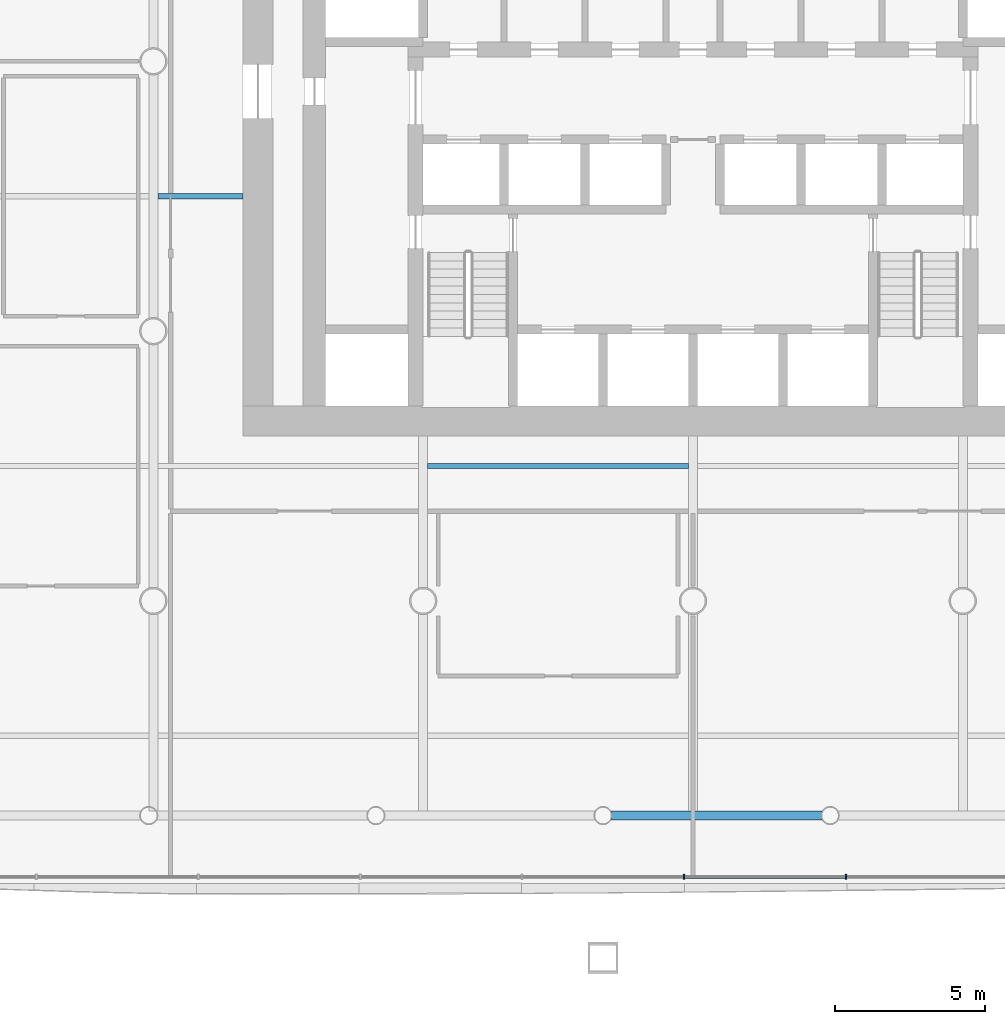
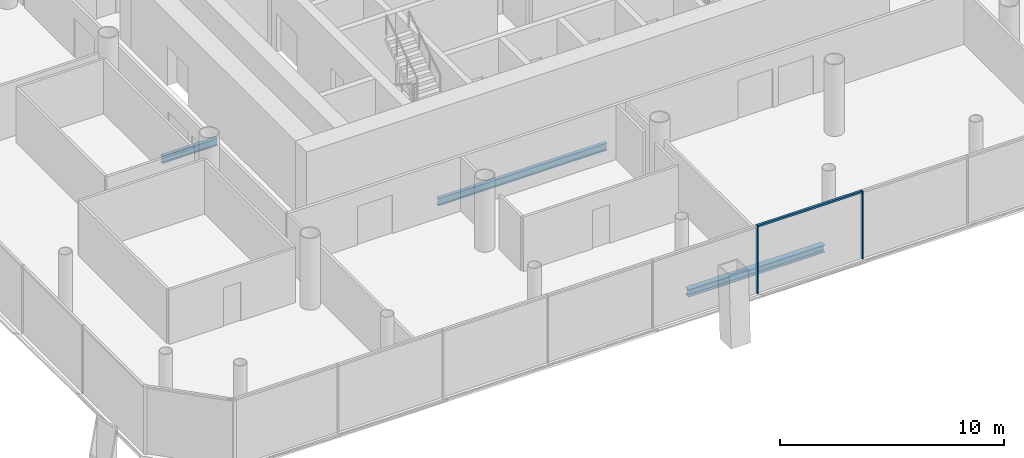
# One storey, part 5 of 22: 3 beams, 3 members, 1 element without a shape of its own.
"""IFC4 building model written with IfcOpenShell, lengths in metres."""

import ifcopenshell
import ifcopenshell.guid

model = None  # the IFC model being written
_history = None  # IfcOwnerHistory: only IFC2X3 demands one
_inside = {}  # id of a spatial element -> (the spatial element, [elements in it])
_under = {}  # id of a project, library or spatial element -> (it, [spatial elements below it])
_declared = {}  # id of a project -> (the project, [libraries it declares])
_typed = {}  # id of a type object -> (the type object, [elements of that type])
_made_of = {}  # id of a material, layer set ... -> (it, [elements and type objects made of it])


def new_model(schema):
    """Start an empty IFC model of exactly this schema.

    Asked for "IFC4X3", IfcOpenShell would pick the latest addendum, in which some entities
    have other attributes; the version numbers below select the first issue.
    IFC2X3 requires an IfcOwnerHistory on every rooted entity: one is made here for all.
    """
    global model, _history
    if schema == "IFC4X3":
        model = ifcopenshell.file(schema_version=(4, 3, 0, 0))
    else:
        model = ifcopenshell.file(schema=schema)
    _inside.clear()
    _under.clear()
    _declared.clear()
    _typed.clear()
    _made_of.clear()
    _history = None
    if model.schema == "IFC2X3":
        org = make("IfcOrganization", Name="unknown")
        user = make(
            "IfcPersonAndOrganization",
            ThePerson=make("IfcPerson", FamilyName="unknown"),
            TheOrganization=org,
        )
        app = make(
            "IfcApplication",
            ApplicationDeveloper=org,
            Version="unknown",
            ApplicationFullName="unknown",
            ApplicationIdentifier="unknown",
        )
        _history = make(
            "IfcOwnerHistory",
            OwningUser=user,
            OwningApplication=app,
            ChangeAction="ADDED",
            CreationDate=0,
        )
    return model


def make(cls, **values):
    """One entity of the class cls with the attributes given. An attribute that is None is left unset."""
    return model.create_entity(
        cls, **{name: value for name, value in values.items() if value is not None}
    )


def rooted(cls, **values):
    """An entity with a GlobalId (a new one), such as an element, a storey or a relation."""
    return make(cls, GlobalId=ifcopenshell.guid.new(), OwnerHistory=_history, **values)


def si_unit(unit_type, name, prefix=None):
    """IfcSIUnit, for example si_unit("LENGTHUNIT", "METRE", prefix="MILLI")."""
    return make("IfcSIUnit", UnitType=unit_type, Prefix=prefix, Name=name)


def assignment(units):
    """IfcUnitAssignment: the units of a project."""
    return None if units is None else make("IfcUnitAssignment", Units=units)


def point(xyz):
    """IfcCartesianPoint."""
    return None if xyz is None else make("IfcCartesianPoint", Coordinates=xyz)


def direction(xyz):
    """IfcDirection."""
    return None if xyz is None else make("IfcDirection", DirectionRatios=xyz)


def frame(location, z_axis=None, x_axis=None):
    """IfcAxis2Placement3D, a coordinate frame: its origin and axes. An axis left out is left unset."""
    return make(
        "IfcAxis2Placement3D",
        Location=point(location),
        Axis=direction(z_axis),
        RefDirection=direction(x_axis),
    )


def frame_2d(location, x_axis=None):
    """IfcAxis2Placement2D, a coordinate frame in the plane: its origin and x axis."""
    return make(
        "IfcAxis2Placement2D", Location=point(location), RefDirection=direction(x_axis)
    )


def origin():
    """The frame at (0, 0, 0) with its axes left unset."""
    return frame((0.0, 0.0, 0.0))


def origin_2d():
    """The frame at (0, 0) in the plane with its x axis left unset."""
    return frame_2d((0.0, 0.0))


def place(relative_to, where):
    """IfcLocalPlacement: puts the frame where relative to a parent placement (None: the world)."""
    return make(
        "IfcLocalPlacement", PlacementRelTo=relative_to, RelativePlacement=where
    )


def context(
    kind, dimensions, precision=None, world=None, true_north=None, identifier=None
):
    """IfcGeometricRepresentationContext, for example the 3D "Model" context."""
    return make(
        "IfcGeometricRepresentationContext",
        ContextIdentifier=identifier,
        ContextType=kind,
        CoordinateSpaceDimension=dimensions,
        Precision=precision,
        WorldCoordinateSystem=world,
        TrueNorth=true_north,
    )


def subcontext(parent, identifier, kind, view, scale=None):
    """IfcGeometricRepresentationSubContext, for example "Body" below "Model"."""
    return make(
        "IfcGeometricRepresentationSubContext",
        ContextIdentifier=identifier,
        ContextType=kind,
        ParentContext=parent,
        TargetScale=scale,
        TargetView=view,
    )


def project(units=None, contexts=None):
    """IfcProject with its units and contexts."""
    return rooted(
        "IfcProject",
        Name="project",
        RepresentationContexts=contexts,
        UnitsInContext=assignment(units),
    )


def spatial(cls, under=None, at=None, **own):
    """A site, building, storey or space (cls), placed at a placement, below another one or the project."""
    s = rooted(cls, ObjectPlacement=at, **own)
    if under is not None:
        _under.setdefault(under.id(), (under, []))[1].append(s)
    return s


def profile(cls, at=None, kind="AREA", **sizes):
    """A parametric profile (cls). Its sizes go by their IFC names, for example OverallWidth=200.0."""
    return make(cls, ProfileType=kind, Position=at, **sizes)


def rectangle(**sizes):
    """IfcRectangleProfileDef."""
    return profile("IfcRectangleProfileDef", **sizes)


def i_section(**sizes):
    """IfcIShapeProfileDef."""
    return profile("IfcIShapeProfileDef", **sizes)


def extrude(swept, where, along, depth):
    """IfcExtrudedAreaSolid: the profile swept, set in the frame where, extruded along a direction by depth."""
    return make(
        "IfcExtrudedAreaSolid",
        SweptArea=swept,
        Position=where,
        ExtrudedDirection=direction(along),
        Depth=depth,
    )


def shape(context_of_items, identifier, shape_type, items):
    """IfcShapeRepresentation: the items that make up one representation, for example the "Body"."""
    return make(
        "IfcShapeRepresentation",
        ContextOfItems=context_of_items,
        RepresentationIdentifier=identifier,
        RepresentationType=shape_type,
        Items=items,
    )


def material(Name=None, Category=None):
    """IfcMaterial."""
    return make("IfcMaterial", Name=Name, Category=Category)


def material_profile(
    of_material, cross_section, Name=None, Category=None, Priority=None
):
    """IfcMaterialProfile: a cross section and its material."""
    return make(
        "IfcMaterialProfile",
        Name=Name,
        Material=of_material,
        Profile=cross_section,
        Priority=Priority,
        Category=Category,
    )


def profile_set(profiles, Name=None, composite=None):
    """IfcMaterialProfileSet."""
    return make(
        "IfcMaterialProfileSet",
        Name=Name,
        MaterialProfiles=profiles,
        CompositeProfile=composite,
    )


def made_of(thing, what):
    """Note that an element or type object is made of a material, layer set ...; save() writes the relation."""
    if what is not None:
        _made_of.setdefault(what.id(), (what, []))[1].append(thing)
    return thing


def type_object(cls, material=None, **own):
    """A type object (cls), such as IfcWallType, which elements share."""
    return made_of(rooted(cls, **own), material)


def element(
    cls,
    number,
    at=None,
    inside=None,
    cuts=None,
    type_object=None,
    material=None,
    context=None,
    identifier="Body",
    shape_type=None,
    held_by="IfcProductDefinitionShape",
    body=None,
    shapes=None,
    **own,
):
    """One element of the class cls, such as IfcWall. Its Tag is "e" and its number.

    at: its placement. inside: the storey or other place that contains it. cuts: it is an
    opening in that element (IfcRelVoidsElement). A single representation is given by context,
    identifier, shape_type and body (its items); several are given by shapes. held_by: the class
    of the entity that holds the representations. save() writes the other relations.
    """
    e = rooted(cls, Tag="e%d" % number, ObjectPlacement=at, **own)
    if body is not None:
        shapes = [shape(context, identifier, shape_type, body)]
    if shapes is not None:
        e.Representation = make(held_by, Representations=shapes)
    if inside is not None:
        _inside.setdefault(inside.id(), (inside, []))[1].append(e)
    if cuts is not None:
        rooted(
            "IfcRelVoidsElement", RelatingBuildingElement=cuts, RelatedOpeningElement=e
        )
    if type_object is not None:
        _typed.setdefault(type_object.id(), (type_object, []))[1].append(e)
    return made_of(e, material)


def aggregate(whole, parts):
    """IfcRelAggregates: a whole, such as a stair, and the parts it consists of."""
    return rooted("IfcRelAggregates", RelatingObject=whole, RelatedObjects=parts)


def save(model, path):
    """Write the relations noted so far, then the file.

    IfcRelAggregates (storeys below a building ...), IfcRelContainedInSpatialStructure (elements
    in a storey), IfcRelDefinesByType, IfcRelAssociatesMaterial and IfcRelDeclares: one each for
    every whole, place, type object, material and project.
    """
    for whole, parts in _under.values():
        aggregate(whole, parts)
    for where, things in _inside.values():
        rooted(
            "IfcRelContainedInSpatialStructure",
            RelatedElements=things,
            RelatingStructure=where,
        )
    for kind, things in _typed.values():
        rooted("IfcRelDefinesByType", RelatedObjects=things, RelatingType=kind)
    for what, things in _made_of.values():
        rooted("IfcRelAssociatesMaterial", RelatedObjects=things, RelatingMaterial=what)
    for by, libraries in _declared.values():
        rooted("IfcRelDeclares", RelatingContext=by, RelatedDefinitions=libraries)
    model.write(path)


model = new_model("IFC4")

# Units and contexts
model_context = context("Model", 3, precision=1e-05, world=origin(), true_north=direction((0.0, 1.0)))
body_context = subcontext(model_context, "Body", "Model", "MODEL_VIEW")
ifc_project = project(units=[si_unit("LENGTHUNIT", "METRE"), si_unit("AREAUNIT", "SQUARE_METRE"), si_unit("VOLUMEUNIT", "CUBIC_METRE"), si_unit("PLANEANGLEUNIT", "RADIAN"), si_unit("MASSUNIT", "GRAM", prefix="KILO")], contexts=[model_context])

# Site, building, storey
site_placement = place(None, origin())
site = spatial("IfcSite", under=ifc_project, at=site_placement, CompositionType="ELEMENT")
building_placement = place(site_placement, origin())
building = spatial("IfcBuilding", under=site, at=building_placement, Name="Tskaro Facet Tower", CompositionType="ELEMENT")
storey_placement = place(building_placement, frame((0.0, 0.0, 30.300048828125)))
storey = spatial("IfcBuildingStorey", under=building, at=storey_placement, Name="L06", CompositionType="ELEMENT", Elevation=30.300048828125)

# Curtain wall, members
ifc_material_1 = material(Name="Bronze anodised aluminium 6063-T6", Category="aluminium")
curtain_wall_type = type_object("IfcCurtainWallType", Name="Bronze office curtain wall (FW1)", PredefinedType="NOTDEFINED", material=ifc_material_1)
curtain_wall_placement = place(storey_placement, origin())
curtain_wall = element("IfcCurtainWall", 1, at=curtain_wall_placement, inside=storey, type_object=curtain_wall_type, Name="FW1 south facet L06", PredefinedType="NOTDEFINED")
ifc_material_profile_1 = material_profile(ifc_material_1, rectangle(XDim=0.06005859375, YDim=0.159912109375, at=origin_2d()), Name="Mullion 60x160")
ifc_profile_set_1 = profile_set([ifc_material_profile_1], Name="Bronze anodised aluminium 6063-T6")
member_type_1 = type_object("IfcMemberType", Name="FW1 bronze mullion 60x160", PredefinedType="MULLION", material=ifc_profile_set_1)
member_1_placement = place(storey_placement, frame((-0.299560546875, -27.201904296875, 0.0), z_axis=(0.0, 0.0, 1.0), x_axis=(1.0, 0.0, 0.0)))
member_1 = element("IfcMember", 2, at=member_1_placement, type_object=member_type_1, Name="FW1 south mullion 5", PredefinedType="MULLION", context=body_context, shape_type="SweptSolid", body=[
    extrude(rectangle(XDim=0.06005859375, YDim=0.159912109375, at=origin_2d()), origin(), (0.0, 0.0, 1.0), 3.699951171875),
])
member_2_placement = place(storey_placement, frame((5.1015625, -27.201904296875, 0.0), z_axis=(0.0, 0.0, 1.0), x_axis=(1.0, 0.0, 0.0)))
member_2 = element("IfcMember", 3, at=member_2_placement, type_object=member_type_1, Name="FW1 south mullion 6", PredefinedType="MULLION", context=body_context, shape_type="SweptSolid", body=[
    extrude(rectangle(XDim=0.06005859375, YDim=0.159912109375, at=origin_2d()), origin(), (0.0, 0.0, 1.0), 3.699951171875),
])
ifc_material_profile_2 = material_profile(ifc_material_1, rectangle(XDim=0.1201171875, YDim=0.10009765625, at=origin_2d()), Name="Transom 120x100")
ifc_profile_set_2 = profile_set([ifc_material_profile_2], Name="Bronze anodised aluminium 6063-T6")
member_type_2 = type_object("IfcMemberType", Name="FW1 bronze transom 120x100", PredefinedType="USERDEFINED", material=ifc_profile_set_2)
member_3_placement = place(storey_placement, frame((-0.26953125, -27.201904296875, 3.64990234375), z_axis=(1.0, 0.0, 0.0), x_axis=(0.0, 1.0, 0.0)))
member_3 = element("IfcMember", 4, at=member_3_placement, type_object=member_type_2, Name="FW1 south transom 6.1", ObjectType="TRANSOM", PredefinedType="USERDEFINED", context=body_context, shape_type="SweptSolid", body=[
    extrude(rectangle(XDim=0.1201171875, YDim=0.10009765625, at=origin_2d()), origin(), (0.0, 0.0, 1.0), 5.34130859375),
])
aggregate(curtain_wall, [member_1, member_2, member_3])

# Beams
ifc_material_2 = material(Name="Steel S355J2", Category="steel")
ifc_material_profile_3 = material_profile(ifc_material_2, i_section(OverallWidth=0.300048828125, OverallDepth=0.39990234375, WebThickness=0.013427734375, FlangeThickness=0.02392578125, FilletRadius=0.027099609375, at=origin_2d()), Name="HE 400 B")
ifc_profile_set_3 = profile_set([ifc_material_profile_3], Name="Steel S355J2")
beam_type_1 = type_object("IfcBeamType", Name="HE 400 B ring beam", PredefinedType="BEAM", material=ifc_profile_set_3)
beam_1_placement = place(storey_placement, frame((-2.72509765625, -25.156982421875, -0.340087890625), z_axis=(1.0, 0.0, 0.0), x_axis=(0.0, 1.0, 0.0)))
element("IfcBeam", 5, at=beam_1_placement, inside=storey, type_object=beam_type_1, Name="HE 400 B EB4-1", PredefinedType="BEAM", context=body_context, shape_type="SweptSolid", body=[
    extrude(i_section(OverallWidth=0.300048828125, OverallDepth=0.39990234375, WebThickness=0.013427734375, FlangeThickness=0.02392578125, FilletRadius=0.027099609375, at=origin_2d()), origin(), (0.0, 0.0, 1.0), 7.026123046875),
])
ifc_material_profile_4 = material_profile(ifc_material_2, i_section(OverallWidth=0.179931640625, OverallDepth=0.39990234375, WebThickness=0.008544921875, FlangeThickness=0.013427734375, FilletRadius=0.02099609375, at=origin_2d()), Name="IPE 400")
ifc_profile_set_4 = profile_set([ifc_material_profile_4], Name="Steel S355J2")
beam_type_2 = type_object("IfcBeamType", Name="IPE 400 secondary beam", PredefinedType="BEAM", material=ifc_profile_set_4)
beam_2_placement = place(storey_placement, frame((-8.85009765625, -13.5, -0.340087890625), z_axis=(1.0, 0.0, 0.0), x_axis=(0.0, 1.0, 0.0)))
element("IfcBeam", 6, at=beam_2_placement, inside=storey, type_object=beam_type_2, Name="IPE 400 SB2a-3-1", PredefinedType="BEAM", context=body_context, shape_type="SweptSolid", body=[
    extrude(i_section(OverallWidth=0.179931640625, OverallDepth=0.39990234375, WebThickness=0.008544921875, FlangeThickness=0.013427734375, FilletRadius=0.02099609375, at=origin_2d()), origin(), (0.0, 0.0, 1.0), 8.7001953125),
])
beam_3_placement = place(storey_placement, frame((-17.85009765625, -4.5, -0.340087890625), z_axis=(1.0, 0.0, 0.0), x_axis=(0.0, 1.0, 0.0)))
element("IfcBeam", 7, at=beam_3_placement, inside=storey, type_object=beam_type_2, Name="IPE 400 SB3a-2-1", PredefinedType="BEAM", context=body_context, shape_type="SweptSolid", body=[
    extrude(i_section(OverallWidth=0.179931640625, OverallDepth=0.39990234375, WebThickness=0.008544921875, FlangeThickness=0.013427734375, FilletRadius=0.02099609375, at=origin_2d()), origin(), (0.0, 0.0, 1.0), 2.85009765625),
])

save(model, "model.ifc")
